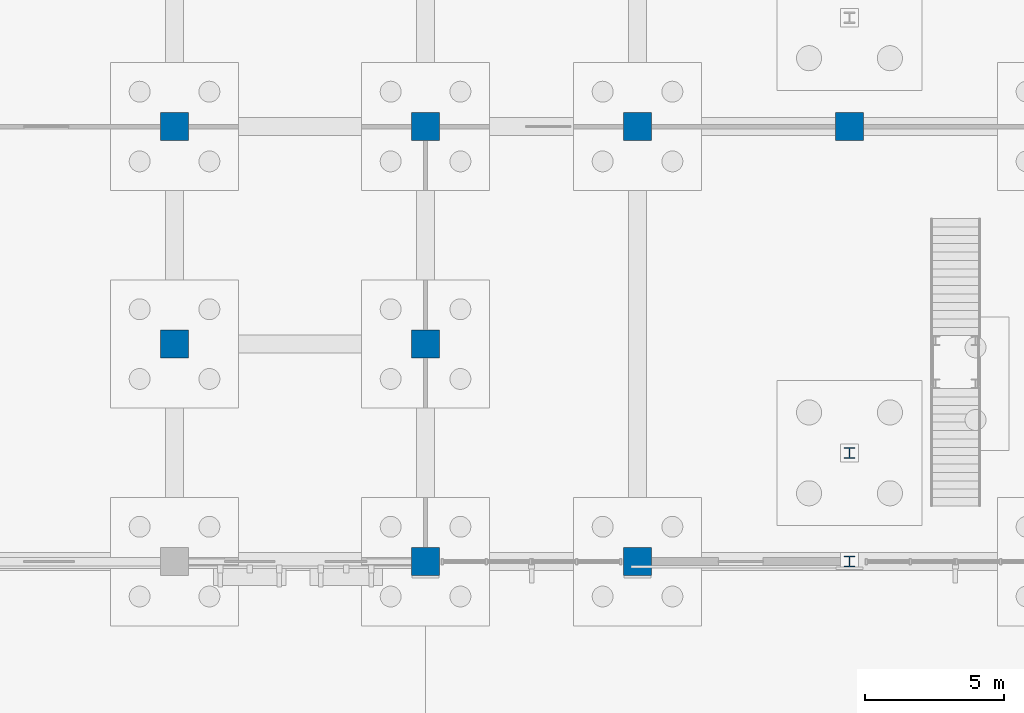
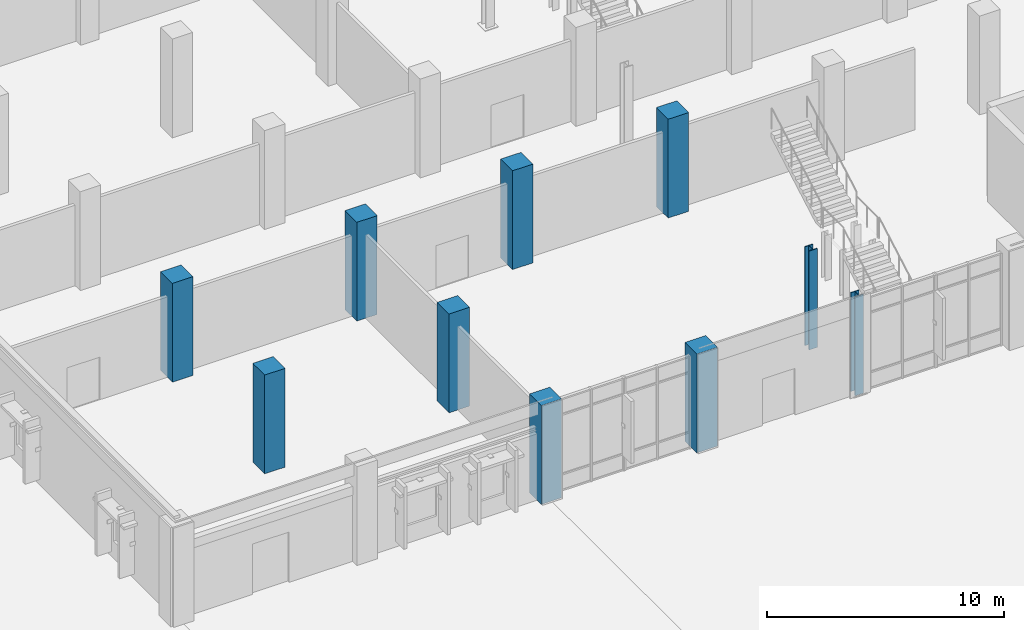
# One storey, part 24 of 94: 10 columns.
"""IFC4 building model written with IfcOpenShell, lengths in metres."""

from ifc_helpers import new_model, si_unit, direction, frame, origin, origin_2d, place, context, subcontext, project, spatial, rectangle, i_section, extrude, material, material_profile, profile_set, type_object, element, save


model = new_model("IFC4")

# Units and contexts
model_context = context("Model", 3, precision=1e-05, world=origin(), true_north=direction((0.0, 1.0)))
body_context = subcontext(model_context, "Body", "Model", "MODEL_VIEW")
ifc_project = project(units=[si_unit("LENGTHUNIT", "METRE"), si_unit("AREAUNIT", "SQUARE_METRE"), si_unit("VOLUMEUNIT", "CUBIC_METRE"), si_unit("PLANEANGLEUNIT", "RADIAN"), si_unit("MASSUNIT", "GRAM", prefix="KILO")], contexts=[model_context])

# Site, building, storey
site_placement = place(None, origin())
site = spatial("IfcSite", under=ifc_project, at=site_placement, CompositionType="ELEMENT")
building_placement = place(site_placement, origin())
building = spatial("IfcBuilding", under=site, at=building_placement, Name="Vervanel Yard Central Library", CompositionType="ELEMENT")
storey_placement = place(building_placement, origin())
storey = spatial("IfcBuildingStorey", under=building, at=storey_placement, Name="L00", CompositionType="ELEMENT", Elevation=0.0)

# Columns
ifc_material_1 = material(Name="Concrete C45/55", Category="concrete")
ifc_material_profile_1 = material_profile(ifc_material_1, rectangle(XDim=1.0, YDim=1.0, at=origin_2d()), Name="RC 1000x1000", Category="concrete")
ifc_profile_set_1 = profile_set([ifc_material_profile_1], Name="Concrete C45/55")
column_type_1 = type_object("IfcColumnType", Name="Concrete Column 1000x1000", PredefinedType="COLUMN", material=ifc_profile_set_1)
for number, where, z_axis, x_axis, name in (
    (1, (99.0, 51.0, 0.0), (0.0, 0.0, 1.0), (1.0, 0.0, 0.0), "L00 Concrete Column 1000x1000 (99.0, 51.0)"),
    (2, (99.0, 58.800048828125, 0.0), (0.0, 0.0, 1.0), (1.0, 0.0, 0.0), "L00 Concrete Column 1000x1000 (99.0, 58.8)"),
    (3, (108.0, 43.199951171875, 0.0), (0.0, 0.0, 1.0), (1.0, 0.0, 0.0), "L00 Concrete Column 1000x1000 (108.0, 43.2)"),
    (4, (108.0, 51.0, 0.0), (0.0, 0.0, 1.0), (1.0, 0.0, 0.0), "L00 Concrete Column 1000x1000 (108.0, 51.0)"),
    (5, (108.0, 58.800048828125, 0.0), (0.0, 0.0, 1.0), (1.0, 0.0, 0.0), "L00 Concrete Column 1000x1000 (108.0, 58.8)"),
    (6, (115.60009765625, 43.199951171875, 0.0), (0.0, 0.0, 1.0), (1.0, 0.0, 0.0), "L00 Concrete Column 1000x1000 (115.6, 43.2)"),
    (7, (115.60009765625, 58.800048828125, 0.0), (0.0, 0.0, 1.0), (1.0, 0.0, 0.0), "L00 Concrete Column 1000x1000 (115.6, 58.8)"),
    (8, (123.199951171875, 58.800048828125, 0.0), (0.0, 0.0, 1.0), (1.0, 0.0, 0.0), "L00 Concrete Column 1000x1000 (123.2, 58.8)"),
):
    element("IfcColumn", number, at=place(storey_placement, frame(where, z_axis=z_axis, x_axis=x_axis)), inside=storey, type_object=column_type_1, Name=name, PredefinedType="COLUMN", context=body_context, shape_type="SweptSolid", body=[
        extrude(rectangle(XDim=1.0, YDim=1.0, at=origin_2d()), origin(), (0.0, 0.0, 1.0), 5.10009765625),
    ])
ifc_material_2 = material(Name="Steel ASTM A992 Grade 50", Category="steel")
ifc_material_profile_2 = material_profile(ifc_material_2, i_section(OverallWidth=0.4013671875, OverallDepth=0.398681640625, WebThickness=0.02490234375, FlangeThickness=0.03955078125, at=origin_2d()), Name="W14X211", Category="steel")
ifc_profile_set_2 = profile_set([ifc_material_profile_2], Name="Steel ASTM A992 Grade 50")
column_type_2 = type_object("IfcColumnType", Name="Steel Tie-Down Column W14X211", PredefinedType="COLUMN", material=ifc_profile_set_2)
for number, where, z_axis, x_axis, name in (
    (9, (123.199951171875, 43.199951171875, 0.0), (0.0, 0.0, 1.0), (1.0, 0.0, 0.0), "L00 Steel Tie-Down Column W14X211 (123.2, 43.2)"),
    (10, (123.199951171875, 47.10009765625, 0.0), (0.0, 0.0, 1.0), (1.0, 0.0, 0.0), "L00 Prow Truss S Post (123.2, 47.1)"),
):
    element("IfcColumn", number, at=place(storey_placement, frame(where, z_axis=z_axis, x_axis=x_axis)), inside=storey, type_object=column_type_2, Name=name, PredefinedType="COLUMN", context=body_context, shape_type="SweptSolid", body=[
        extrude(i_section(OverallWidth=0.4013671875, OverallDepth=0.398681640625, WebThickness=0.02490234375, FlangeThickness=0.03955078125, at=origin_2d()), origin(), (0.0, 0.0, 1.0), 5.10009765625),
    ])

save(model, "model.ifc")
